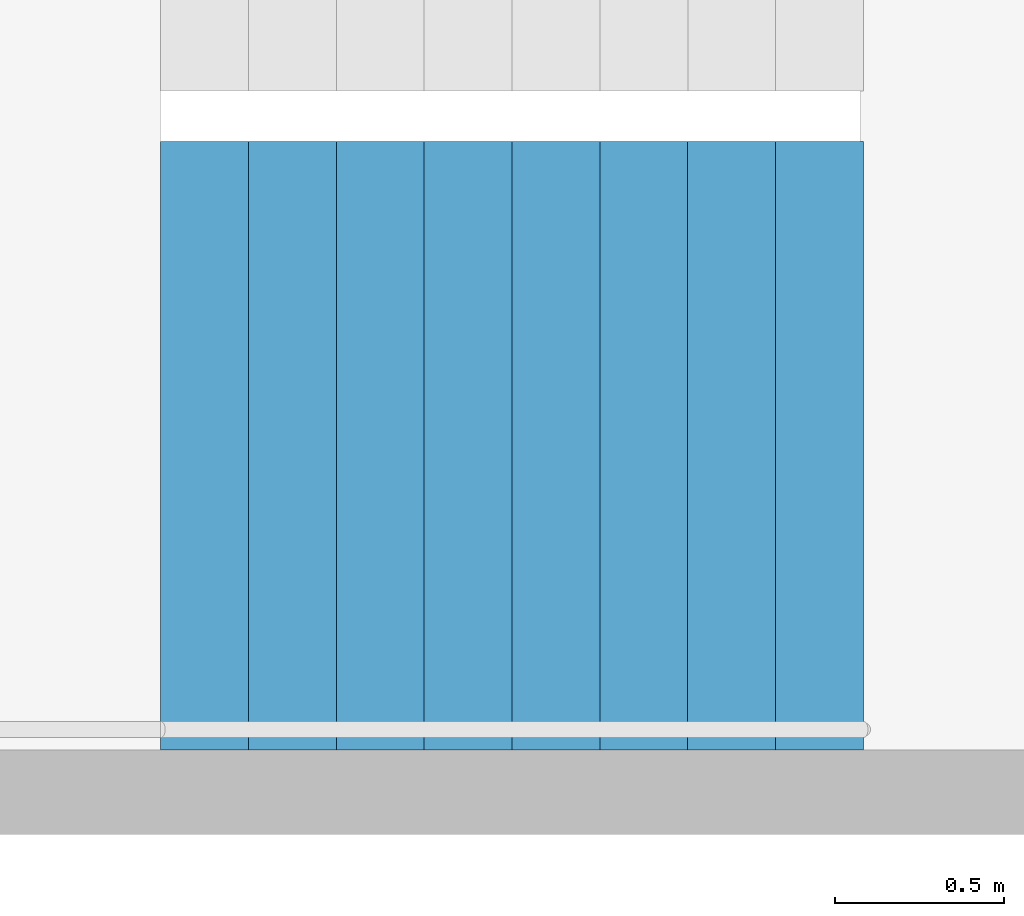
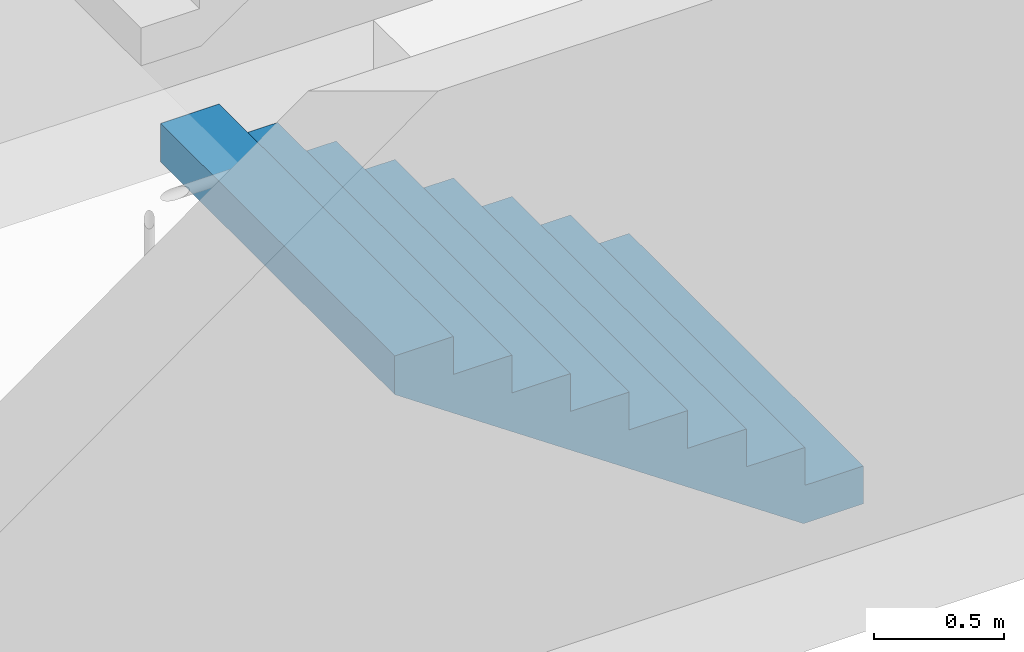
# One storey, part 27 of 29: 1 stair flight, 1 element without a shape of its own.
"""IFC4 building model written with IfcOpenShell, lengths in metres."""

import ifcopenshell
import ifcopenshell.guid

model = None  # the IFC model being written
_history = None  # IfcOwnerHistory: only IFC2X3 demands one
_inside = {}  # id of a spatial element -> (the spatial element, [elements in it])
_under = {}  # id of a project, library or spatial element -> (it, [spatial elements below it])
_declared = {}  # id of a project -> (the project, [libraries it declares])
_typed = {}  # id of a type object -> (the type object, [elements of that type])
_made_of = {}  # id of a material, layer set ... -> (it, [elements and type objects made of it])


def new_model(schema):
    """Start an empty IFC model of exactly this schema.

    Asked for "IFC4X3", IfcOpenShell would pick the latest addendum, in which some entities
    have other attributes; the version numbers below select the first issue.
    IFC2X3 requires an IfcOwnerHistory on every rooted entity: one is made here for all.
    """
    global model, _history
    if schema == "IFC4X3":
        model = ifcopenshell.file(schema_version=(4, 3, 0, 0))
    else:
        model = ifcopenshell.file(schema=schema)
    _inside.clear()
    _under.clear()
    _declared.clear()
    _typed.clear()
    _made_of.clear()
    _history = None
    if model.schema == "IFC2X3":
        org = make("IfcOrganization", Name="unknown")
        user = make(
            "IfcPersonAndOrganization",
            ThePerson=make("IfcPerson", FamilyName="unknown"),
            TheOrganization=org,
        )
        app = make(
            "IfcApplication",
            ApplicationDeveloper=org,
            Version="unknown",
            ApplicationFullName="unknown",
            ApplicationIdentifier="unknown",
        )
        _history = make(
            "IfcOwnerHistory",
            OwningUser=user,
            OwningApplication=app,
            ChangeAction="ADDED",
            CreationDate=0,
        )
    return model


def make(cls, **values):
    """One entity of the class cls with the attributes given. An attribute that is None is left unset."""
    return model.create_entity(
        cls, **{name: value for name, value in values.items() if value is not None}
    )


def rooted(cls, **values):
    """An entity with a GlobalId (a new one), such as an element, a storey or a relation."""
    return make(cls, GlobalId=ifcopenshell.guid.new(), OwnerHistory=_history, **values)


def si_unit(unit_type, name, prefix=None):
    """IfcSIUnit, for example si_unit("LENGTHUNIT", "METRE", prefix="MILLI")."""
    return make("IfcSIUnit", UnitType=unit_type, Prefix=prefix, Name=name)


def assignment(units):
    """IfcUnitAssignment: the units of a project."""
    return None if units is None else make("IfcUnitAssignment", Units=units)


def point(xyz):
    """IfcCartesianPoint."""
    return None if xyz is None else make("IfcCartesianPoint", Coordinates=xyz)


def direction(xyz):
    """IfcDirection."""
    return None if xyz is None else make("IfcDirection", DirectionRatios=xyz)


def frame(location, z_axis=None, x_axis=None):
    """IfcAxis2Placement3D, a coordinate frame: its origin and axes. An axis left out is left unset."""
    return make(
        "IfcAxis2Placement3D",
        Location=point(location),
        Axis=direction(z_axis),
        RefDirection=direction(x_axis),
    )


def origin():
    """The frame at (0, 0, 0) with its axes left unset."""
    return frame((0.0, 0.0, 0.0))


def place(relative_to, where):
    """IfcLocalPlacement: puts the frame where relative to a parent placement (None: the world)."""
    return make(
        "IfcLocalPlacement", PlacementRelTo=relative_to, RelativePlacement=where
    )


def context(
    kind, dimensions, precision=None, world=None, true_north=None, identifier=None
):
    """IfcGeometricRepresentationContext, for example the 3D "Model" context."""
    return make(
        "IfcGeometricRepresentationContext",
        ContextIdentifier=identifier,
        ContextType=kind,
        CoordinateSpaceDimension=dimensions,
        Precision=precision,
        WorldCoordinateSystem=world,
        TrueNorth=true_north,
    )


def subcontext(parent, identifier, kind, view, scale=None):
    """IfcGeometricRepresentationSubContext, for example "Body" below "Model"."""
    return make(
        "IfcGeometricRepresentationSubContext",
        ContextIdentifier=identifier,
        ContextType=kind,
        ParentContext=parent,
        TargetScale=scale,
        TargetView=view,
    )


def project(units=None, contexts=None):
    """IfcProject with its units and contexts."""
    return rooted(
        "IfcProject",
        Name="project",
        RepresentationContexts=contexts,
        UnitsInContext=assignment(units),
    )


def spatial(cls, under=None, at=None, **own):
    """A site, building, storey or space (cls), placed at a placement, below another one or the project."""
    s = rooted(cls, ObjectPlacement=at, **own)
    if under is not None:
        _under.setdefault(under.id(), (under, []))[1].append(s)
    return s


def point_list(points):
    """IfcCartesianPointList2D or 3D."""
    cls = (
        "IfcCartesianPointList2D" if len(points[0]) == 2 else "IfcCartesianPointList3D"
    )
    return make(cls, CoordList=points)


def triangles(points, corners, closed=None, point_numbers=None):
    """IfcTriangulatedFaceSet: each triangle names its three corners, points numbered from 1."""
    return make(
        "IfcTriangulatedFaceSet",
        Coordinates=point_list(points),
        Closed=closed,
        CoordIndex=corners,
        PnIndex=point_numbers,
    )


def shape(context_of_items, identifier, shape_type, items):
    """IfcShapeRepresentation: the items that make up one representation, for example the "Body"."""
    return make(
        "IfcShapeRepresentation",
        ContextOfItems=context_of_items,
        RepresentationIdentifier=identifier,
        RepresentationType=shape_type,
        Items=items,
    )


def material(Name=None, Category=None):
    """IfcMaterial."""
    return make("IfcMaterial", Name=Name, Category=Category)


def made_of(thing, what):
    """Note that an element or type object is made of a material, layer set ...; save() writes the relation."""
    if what is not None:
        _made_of.setdefault(what.id(), (what, []))[1].append(thing)
    return thing


def type_object(cls, material=None, **own):
    """A type object (cls), such as IfcWallType, which elements share."""
    return made_of(rooted(cls, **own), material)


def element(
    cls,
    number,
    at=None,
    inside=None,
    cuts=None,
    type_object=None,
    material=None,
    context=None,
    identifier="Body",
    shape_type=None,
    held_by="IfcProductDefinitionShape",
    body=None,
    shapes=None,
    **own,
):
    """One element of the class cls, such as IfcWall. Its Tag is "e" and its number.

    at: its placement. inside: the storey or other place that contains it. cuts: it is an
    opening in that element (IfcRelVoidsElement). A single representation is given by context,
    identifier, shape_type and body (its items); several are given by shapes. held_by: the class
    of the entity that holds the representations. save() writes the other relations.
    """
    e = rooted(cls, Tag="e%d" % number, ObjectPlacement=at, **own)
    if body is not None:
        shapes = [shape(context, identifier, shape_type, body)]
    if shapes is not None:
        e.Representation = make(held_by, Representations=shapes)
    if inside is not None:
        _inside.setdefault(inside.id(), (inside, []))[1].append(e)
    if cuts is not None:
        rooted(
            "IfcRelVoidsElement", RelatingBuildingElement=cuts, RelatedOpeningElement=e
        )
    if type_object is not None:
        _typed.setdefault(type_object.id(), (type_object, []))[1].append(e)
    return made_of(e, material)


def aggregate(whole, parts):
    """IfcRelAggregates: a whole, such as a stair, and the parts it consists of."""
    return rooted("IfcRelAggregates", RelatingObject=whole, RelatedObjects=parts)


def save(model, path):
    """Write the relations noted so far, then the file.

    IfcRelAggregates (storeys below a building ...), IfcRelContainedInSpatialStructure (elements
    in a storey), IfcRelDefinesByType, IfcRelAssociatesMaterial and IfcRelDeclares: one each for
    every whole, place, type object, material and project.
    """
    for whole, parts in _under.values():
        aggregate(whole, parts)
    for where, things in _inside.values():
        rooted(
            "IfcRelContainedInSpatialStructure",
            RelatedElements=things,
            RelatingStructure=where,
        )
    for kind, things in _typed.values():
        rooted("IfcRelDefinesByType", RelatedObjects=things, RelatingType=kind)
    for what, things in _made_of.values():
        rooted("IfcRelAssociatesMaterial", RelatedObjects=things, RelatingMaterial=what)
    for by, libraries in _declared.values():
        rooted("IfcRelDeclares", RelatingContext=by, RelatedDefinitions=libraries)
    model.write(path)


model = new_model("IFC4")

# Units and contexts
model_context = context("Model", 3, precision=1e-05, world=origin(), true_north=direction((0.0, 1.0)))
body_context = subcontext(model_context, "Body", "Model", "MODEL_VIEW")
ifc_project = project(units=[si_unit("LENGTHUNIT", "METRE"), si_unit("AREAUNIT", "SQUARE_METRE"), si_unit("VOLUMEUNIT", "CUBIC_METRE"), si_unit("PLANEANGLEUNIT", "RADIAN"), si_unit("MASSUNIT", "GRAM", prefix="KILO")], contexts=[model_context])

# Site, building, storey
site_placement = place(None, origin())
site = spatial("IfcSite", under=ifc_project, at=site_placement, CompositionType="ELEMENT")
building_placement = place(site_placement, origin())
building = spatial("IfcBuilding", under=site, at=building_placement, Name="Hakoniwa Tower and Hamabe Station Hall", CompositionType="ELEMENT")
storey_placement = place(building_placement, frame((0.0, 0.0, 55.0)))
storey = spatial("IfcBuildingStorey", under=building, at=storey_placement, Name="L15", CompositionType="ELEMENT", Elevation=55.0)

# Stair, stair flight
ifc_material_1 = material(Name="Concrete C40", Category="concrete")
stair_type = type_object("IfcStairType", Name="ESCAPE STAIR 1800", PredefinedType="HALF_TURN_STAIR", material=ifc_material_1)
stair_placement = place(storey_placement, origin())
stair = element("IfcStair", 1, at=stair_placement, inside=storey, type_object=stair_type, Name="Escape stair ST-3 L15", PredefinedType="HALF_TURN_STAIR")
ifc_material_2 = material(Name="Concrete C40", Category="concrete")
stair_flight_type = type_object("IfcStairFlightType", Name="STAIR FLIGHT 1800", PredefinedType="STRAIGHT", material=ifc_material_2)
stair_flight_placement = place(storey_placement, frame((24.39990234375, 4.64990234375, 0.0), z_axis=(0.0, 0.0, 1.0), x_axis=(-1.0, 0.0, 0.0)))
stair_flight = element("IfcStairFlight", 2, at=stair_flight_placement, type_object=stair_flight_type, Name="ST-3 flight 1", NumberOfRisers=9, NumberOfTreads=8, PredefinedType="STRAIGHT", RiserHeight=0.177777778, TreadLength=0.26, context=body_context, shape_type="Tessellation", body=[
    triangles([(0.0, 0.89990234375, 0.0), (0.260009765625, 0.89990234375, 0.0), (0.265625, 0.89990234375, 0.0), (0.52001953125, 0.89990234375, 0.174072265625), (0.780029296875, 0.89990234375, 0.351806640625), (1.0400390625, 0.89990234375, 0.529541015625), (1.300048828125, 0.89990234375, 0.707275390625), (1.56005859375, 0.89990234375, 0.885009765625), (1.820068359375, 0.89990234375, 1.062744140625), (2.080078125, 0.89990234375, 1.24072265625), (2.080078125, 0.89990234375, 1.422119140625), (1.820068359375, 0.89990234375, 1.422119140625), (1.820068359375, 0.89990234375, 1.244384765625), (1.56005859375, 0.89990234375, 1.244384765625), (1.56005859375, 0.89990234375, 1.066650390625), (1.300048828125, 0.89990234375, 1.066650390625), (1.300048828125, 0.89990234375, 0.888916015625), (1.0400390625, 0.89990234375, 0.888916015625), (1.0400390625, 0.89990234375, 0.711181640625), (0.780029296875, 0.89990234375, 0.711181640625), (0.780029296875, 0.89990234375, 0.533447265625), (0.52001953125, 0.89990234375, 0.533447265625), (0.52001953125, 0.89990234375, 0.35546875), (0.265625, 0.89990234375, 0.35546875), (0.260009765625, 0.89990234375, 0.35546875), (0.260009765625, 0.89990234375, 0.177734375), (0.0, 0.89990234375, 0.177734375), (0.0, 0.06005859375, 0.0), (0.260009765625, 0.06005859375, 0.0), (0.265625, 0.06005859375, 0.0), (0.52001953125, 0.06005859375, 0.174072265625), (0.780029296875, 0.06005859375, 0.351806640625), (1.0400390625, 0.06005859375, 0.529541015625), (1.300048828125, 0.06005859375, 0.707275390625), (1.56005859375, 0.06005859375, 0.885009765625), (1.820068359375, 0.06005859375, 1.062744140625), (2.080078125, 0.06005859375, 1.24072265625), (2.080078125, 0.06005859375, 1.422119140625), (1.820068359375, 0.06005859375, 1.422119140625), (1.820068359375, 0.06005859375, 1.244384765625), (1.56005859375, 0.06005859375, 1.244384765625), (1.56005859375, 0.06005859375, 1.066650390625), (1.300048828125, 0.06005859375, 1.066650390625), (1.300048828125, 0.06005859375, 0.888916015625), (1.0400390625, 0.06005859375, 0.888916015625), (1.0400390625, 0.06005859375, 0.711181640625), (0.780029296875, 0.06005859375, 0.711181640625), (0.780029296875, 0.06005859375, 0.533447265625), (0.52001953125, 0.06005859375, 0.533447265625), (0.52001953125, 0.06005859375, 0.35546875), (0.265625, 0.06005859375, 0.35546875), (0.260009765625, 0.06005859375, 0.35546875), (0.260009765625, 0.06005859375, 0.177734375), (0.0, 0.06005859375, 0.177734375), (0.0, 0.04296875, 0.0), (0.260009765625, 0.04296875, 0.0), (0.265625, 0.04296875, 0.0), (0.52001953125, 0.04296875, 0.174072265625), (0.780029296875, 0.04296875, 0.351806640625), (1.0400390625, 0.04296875, 0.529541015625), (1.300048828125, 0.04296875, 0.707275390625), (1.56005859375, 0.04296875, 0.885009765625), (1.820068359375, 0.04296875, 1.062744140625), (2.080078125, 0.04296875, 1.24072265625), (2.080078125, 0.04296875, 1.422119140625), (1.820068359375, 0.04296875, 1.422119140625), (1.820068359375, 0.04296875, 1.244384765625), (1.56005859375, 0.04296875, 1.244384765625), (1.56005859375, 0.04296875, 1.066650390625), (1.300048828125, 0.04296875, 1.066650390625), (1.300048828125, 0.04296875, 0.888916015625), (1.0400390625, 0.04296875, 0.888916015625), (1.0400390625, 0.04296875, 0.711181640625), (0.780029296875, 0.04296875, 0.711181640625), (0.780029296875, 0.04296875, 0.533447265625), (0.52001953125, 0.04296875, 0.533447265625), (0.52001953125, 0.04296875, 0.35546875), (0.265625, 0.04296875, 0.35546875), (0.260009765625, 0.04296875, 0.35546875), (0.260009765625, 0.04296875, 0.177734375), (0.0, 0.04296875, 0.177734375), (0.0, 0.025634765625, 0.0), (0.260009765625, 0.025634765625, 0.0), (0.265625, 0.025634765625, 0.0), (0.52001953125, 0.025634765625, 0.174072265625), (0.780029296875, 0.025634765625, 0.351806640625), (1.0400390625, 0.025634765625, 0.529541015625), (1.300048828125, 0.025634765625, 0.707275390625), (1.56005859375, 0.025634765625, 0.885009765625), (1.820068359375, 0.025634765625, 1.062744140625), (2.080078125, 0.025634765625, 1.24072265625), (2.080078125, 0.025634765625, 1.422119140625), (1.820068359375, 0.025634765625, 1.422119140625), (1.820068359375, 0.025634765625, 1.244384765625), (1.56005859375, 0.025634765625, 1.244384765625), (1.56005859375, 0.025634765625, 1.066650390625), (1.300048828125, 0.025634765625, 1.066650390625), (1.300048828125, 0.025634765625, 0.888916015625), (1.0400390625, 0.025634765625, 0.888916015625), (1.0400390625, 0.025634765625, 0.711181640625), (0.780029296875, 0.025634765625, 0.711181640625), (0.780029296875, 0.025634765625, 0.533447265625), (0.52001953125, 0.025634765625, 0.533447265625), (0.52001953125, 0.025634765625, 0.35546875), (0.265625, 0.025634765625, 0.35546875), (0.260009765625, 0.025634765625, 0.35546875), (0.260009765625, 0.025634765625, 0.177734375), (0.0, 0.025634765625, 0.177734375), (0.0, 0.008544921875, 0.0), (0.260009765625, 0.008544921875, 0.0), (0.265625, 0.008544921875, 0.0), (0.52001953125, 0.008544921875, 0.174072265625), (0.780029296875, 0.008544921875, 0.351806640625), (1.0400390625, 0.008544921875, 0.529541015625), (1.300048828125, 0.008544921875, 0.707275390625), (1.56005859375, 0.008544921875, 0.885009765625), (1.820068359375, 0.008544921875, 1.062744140625), (2.080078125, 0.008544921875, 1.24072265625), (2.080078125, 0.008544921875, 1.422119140625), (1.820068359375, 0.008544921875, 1.422119140625), (1.820068359375, 0.008544921875, 1.244384765625), (1.56005859375, 0.008544921875, 1.244384765625), (1.56005859375, 0.008544921875, 1.066650390625), (1.300048828125, 0.008544921875, 1.066650390625), (1.300048828125, 0.008544921875, 0.888916015625), (1.0400390625, 0.008544921875, 0.888916015625), (1.0400390625, 0.008544921875, 0.711181640625), (0.780029296875, 0.008544921875, 0.711181640625), (0.780029296875, 0.008544921875, 0.533447265625), (0.52001953125, 0.008544921875, 0.533447265625), (0.52001953125, 0.008544921875, 0.35546875), (0.265625, 0.008544921875, 0.35546875), (0.260009765625, 0.008544921875, 0.35546875), (0.260009765625, 0.008544921875, 0.177734375), (0.0, 0.008544921875, 0.177734375), (0.0, -0.008544921875, 0.0), (0.260009765625, -0.008544921875, 0.0), (0.265625, -0.008544921875, 0.0), (0.52001953125, -0.008544921875, 0.174072265625), (0.780029296875, -0.008544921875, 0.351806640625), (1.0400390625, -0.008544921875, 0.529541015625), (1.300048828125, -0.008544921875, 0.707275390625), (1.56005859375, -0.008544921875, 0.885009765625), (1.820068359375, -0.008544921875, 1.062744140625), (2.080078125, -0.008544921875, 1.24072265625), (2.080078125, -0.008544921875, 1.422119140625), (1.820068359375, -0.008544921875, 1.422119140625), (1.820068359375, -0.008544921875, 1.244384765625), (1.56005859375, -0.008544921875, 1.244384765625), (1.56005859375, -0.008544921875, 1.066650390625), (1.300048828125, -0.008544921875, 1.066650390625), (1.300048828125, -0.008544921875, 0.888916015625), (1.0400390625, -0.008544921875, 0.888916015625), (1.0400390625, -0.008544921875, 0.711181640625), (0.780029296875, -0.008544921875, 0.711181640625), (0.780029296875, -0.008544921875, 0.533447265625), (0.52001953125, -0.008544921875, 0.533447265625), (0.52001953125, -0.008544921875, 0.35546875), (0.265625, -0.008544921875, 0.35546875), (0.260009765625, -0.008544921875, 0.35546875), (0.260009765625, -0.008544921875, 0.177734375), (0.0, -0.008544921875, 0.177734375), (0.0, -0.025634765625, 0.0), (0.260009765625, -0.025634765625, 0.0), (0.265625, -0.025634765625, 0.0), (0.52001953125, -0.025634765625, 0.174072265625), (0.780029296875, -0.025634765625, 0.351806640625), (1.0400390625, -0.025634765625, 0.529541015625), (1.300048828125, -0.025634765625, 0.707275390625), (1.56005859375, -0.025634765625, 0.885009765625), (1.820068359375, -0.025634765625, 1.062744140625), (2.080078125, -0.025634765625, 1.24072265625), (2.080078125, -0.025634765625, 1.422119140625), (1.820068359375, -0.025634765625, 1.422119140625), (1.820068359375, -0.025634765625, 1.244384765625), (1.56005859375, -0.025634765625, 1.244384765625), (1.56005859375, -0.025634765625, 1.066650390625), (1.300048828125, -0.025634765625, 1.066650390625), (1.300048828125, -0.025634765625, 0.888916015625), (1.0400390625, -0.025634765625, 0.888916015625), (1.0400390625, -0.025634765625, 0.711181640625), (0.780029296875, -0.025634765625, 0.711181640625), (0.780029296875, -0.025634765625, 0.533447265625), (0.52001953125, -0.025634765625, 0.533447265625), (0.52001953125, -0.025634765625, 0.35546875), (0.265625, -0.025634765625, 0.35546875), (0.260009765625, -0.025634765625, 0.35546875), (0.260009765625, -0.025634765625, 0.177734375), (0.0, -0.025634765625, 0.177734375), (0.0, -0.04296875, 0.0), (0.260009765625, -0.04296875, 0.0), (0.265625, -0.04296875, 0.0), (0.52001953125, -0.04296875, 0.174072265625), (0.780029296875, -0.04296875, 0.351806640625), (1.0400390625, -0.04296875, 0.529541015625), (1.300048828125, -0.04296875, 0.707275390625), (1.56005859375, -0.04296875, 0.885009765625), (1.820068359375, -0.04296875, 1.062744140625), (2.080078125, -0.04296875, 1.24072265625), (2.080078125, -0.04296875, 1.422119140625), (1.820068359375, -0.04296875, 1.422119140625), (1.820068359375, -0.04296875, 1.244384765625), (1.56005859375, -0.04296875, 1.244384765625), (1.56005859375, -0.04296875, 1.066650390625), (1.300048828125, -0.04296875, 1.066650390625), (1.300048828125, -0.04296875, 0.888916015625), (1.0400390625, -0.04296875, 0.888916015625), (1.0400390625, -0.04296875, 0.711181640625), (0.780029296875, -0.04296875, 0.711181640625), (0.780029296875, -0.04296875, 0.533447265625), (0.52001953125, -0.04296875, 0.533447265625), (0.52001953125, -0.04296875, 0.35546875), (0.265625, -0.04296875, 0.35546875), (0.260009765625, -0.04296875, 0.35546875), (0.260009765625, -0.04296875, 0.177734375), (0.0, -0.04296875, 0.177734375), (0.0, -0.06005859375, 0.0), (0.260009765625, -0.06005859375, 0.0), (0.265625, -0.06005859375, 0.0), (0.52001953125, -0.06005859375, 0.174072265625), (0.780029296875, -0.06005859375, 0.351806640625), (1.0400390625, -0.06005859375, 0.529541015625), (1.300048828125, -0.06005859375, 0.707275390625), (1.56005859375, -0.06005859375, 0.885009765625), (1.820068359375, -0.06005859375, 1.062744140625), (2.080078125, -0.06005859375, 1.24072265625), (2.080078125, -0.06005859375, 1.422119140625), (1.820068359375, -0.06005859375, 1.422119140625), (1.820068359375, -0.06005859375, 1.244384765625), (1.56005859375, -0.06005859375, 1.244384765625), (1.56005859375, -0.06005859375, 1.066650390625), (1.300048828125, -0.06005859375, 1.066650390625), (1.300048828125, -0.06005859375, 0.888916015625), (1.0400390625, -0.06005859375, 0.888916015625), (1.0400390625, -0.06005859375, 0.711181640625), (0.780029296875, -0.06005859375, 0.711181640625), (0.780029296875, -0.06005859375, 0.533447265625), (0.52001953125, -0.06005859375, 0.533447265625), (0.52001953125, -0.06005859375, 0.35546875), (0.265625, -0.06005859375, 0.35546875), (0.260009765625, -0.06005859375, 0.35546875), (0.260009765625, -0.06005859375, 0.177734375), (0.0, -0.06005859375, 0.177734375), (0.0, -0.89990234375, 0.0), (0.260009765625, -0.89990234375, 0.0), (0.265625, -0.89990234375, 0.0), (0.52001953125, -0.89990234375, 0.174072265625), (0.780029296875, -0.89990234375, 0.351806640625), (1.0400390625, -0.89990234375, 0.529541015625), (1.300048828125, -0.89990234375, 0.707275390625), (1.56005859375, -0.89990234375, 0.885009765625), (1.820068359375, -0.89990234375, 1.062744140625), (2.080078125, -0.89990234375, 1.24072265625), (2.080078125, -0.89990234375, 1.422119140625), (1.820068359375, -0.89990234375, 1.422119140625), (1.820068359375, -0.89990234375, 1.244384765625), (1.56005859375, -0.89990234375, 1.244384765625), (1.56005859375, -0.89990234375, 1.066650390625), (1.300048828125, -0.89990234375, 1.066650390625), (1.300048828125, -0.89990234375, 0.888916015625), (1.0400390625, -0.89990234375, 0.888916015625), (1.0400390625, -0.89990234375, 0.711181640625), (0.780029296875, -0.89990234375, 0.711181640625), (0.780029296875, -0.89990234375, 0.533447265625), (0.52001953125, -0.89990234375, 0.533447265625), (0.52001953125, -0.89990234375, 0.35546875), (0.265625, -0.89990234375, 0.35546875), (0.260009765625, -0.89990234375, 0.35546875), (0.260009765625, -0.89990234375, 0.177734375), (0.0, -0.89990234375, 0.177734375)], [[2, 27, 26], [245, 269, 270], [2, 1, 27], [245, 270, 244], [3, 25, 24], [246, 267, 268], [3, 26, 25], [246, 268, 269], [3, 2, 26], [246, 269, 245], [4, 24, 23], [247, 266, 267], [4, 3, 24], [247, 267, 246], [5, 22, 21], [248, 264, 265], [5, 23, 22], [248, 265, 266], [5, 4, 23], [248, 266, 247], [6, 20, 19], [249, 262, 263], [6, 21, 20], [249, 263, 264], [6, 5, 21], [249, 264, 248], [7, 18, 17], [250, 260, 261], [7, 19, 18], [250, 261, 262], [7, 6, 19], [250, 262, 249], [8, 16, 15], [251, 258, 259], [8, 17, 16], [251, 259, 260], [8, 7, 17], [251, 260, 250], [9, 14, 13], [252, 256, 257], [9, 15, 14], [252, 257, 258], [9, 8, 15], [252, 258, 251], [10, 12, 11], [253, 254, 255], [10, 13, 12], [253, 255, 256], [10, 9, 13], [253, 256, 252], [1, 2, 29], [1, 29, 28], [28, 29, 56], [28, 56, 55], [55, 56, 83], [55, 83, 82], [82, 83, 110], [82, 110, 109], [109, 110, 137], [109, 137, 136], [136, 137, 164], [136, 164, 163], [163, 164, 191], [163, 191, 190], [190, 191, 218], [190, 218, 217], [217, 218, 245], [217, 245, 244], [2, 3, 30], [2, 30, 29], [29, 30, 57], [29, 57, 56], [56, 57, 84], [56, 84, 83], [83, 84, 111], [83, 111, 110], [110, 111, 138], [110, 138, 137], [137, 138, 165], [137, 165, 164], [164, 165, 192], [164, 192, 191], [191, 192, 219], [191, 219, 218], [218, 219, 246], [218, 246, 245], [3, 4, 31], [3, 31, 30], [30, 31, 58], [30, 58, 57], [57, 58, 85], [57, 85, 84], [84, 85, 112], [84, 112, 111], [111, 112, 139], [111, 139, 138], [138, 139, 166], [138, 166, 165], [165, 166, 193], [165, 193, 192], [192, 193, 220], [192, 220, 219], [219, 220, 247], [219, 247, 246], [4, 5, 32], [4, 32, 31], [31, 32, 59], [31, 59, 58], [58, 59, 86], [58, 86, 85], [85, 86, 113], [85, 113, 112], [112, 113, 140], [112, 140, 139], [139, 140, 167], [139, 167, 166], [166, 167, 194], [166, 194, 193], [193, 194, 221], [193, 221, 220], [220, 221, 248], [220, 248, 247], [5, 6, 33], [5, 33, 32], [32, 33, 60], [32, 60, 59], [59, 60, 87], [59, 87, 86], [86, 87, 114], [86, 114, 113], [113, 114, 141], [113, 141, 140], [140, 141, 168], [140, 168, 167], [167, 168, 195], [167, 195, 194], [194, 195, 222], [194, 222, 221], [221, 222, 249], [221, 249, 248], [6, 7, 34], [6, 34, 33], [33, 34, 61], [33, 61, 60], [60, 61, 88], [60, 88, 87], [87, 88, 115], [87, 115, 114], [114, 115, 142], [114, 142, 141], [141, 142, 169], [141, 169, 168], [168, 169, 196], [168, 196, 195], [195, 196, 223], [195, 223, 222], [222, 223, 250], [222, 250, 249], [7, 8, 35], [7, 35, 34], [34, 35, 62], [34, 62, 61], [61, 62, 89], [61, 89, 88], [88, 89, 116], [88, 116, 115], [115, 116, 143], [115, 143, 142], [142, 143, 170], [142, 170, 169], [169, 170, 197], [169, 197, 196], [196, 197, 224], [196, 224, 223], [223, 224, 251], [223, 251, 250], [8, 9, 36], [8, 36, 35], [35, 36, 63], [35, 63, 62], [62, 63, 90], [62, 90, 89], [89, 90, 117], [89, 117, 116], [116, 117, 144], [116, 144, 143], [143, 144, 171], [143, 171, 170], [170, 171, 198], [170, 198, 197], [197, 198, 225], [197, 225, 224], [224, 225, 252], [224, 252, 251], [9, 10, 37], [9, 37, 36], [36, 37, 64], [36, 64, 63], [63, 64, 91], [63, 91, 90], [90, 91, 118], [90, 118, 117], [117, 118, 145], [117, 145, 144], [144, 145, 172], [144, 172, 171], [171, 172, 199], [171, 199, 198], [198, 199, 226], [198, 226, 225], [225, 226, 253], [225, 253, 252], [10, 11, 38], [10, 38, 37], [37, 38, 65], [37, 65, 64], [64, 65, 92], [64, 92, 91], [91, 92, 119], [91, 119, 118], [118, 119, 146], [118, 146, 145], [145, 146, 173], [145, 173, 172], [172, 173, 200], [172, 200, 199], [199, 200, 227], [199, 227, 226], [226, 227, 254], [226, 254, 253], [11, 12, 39], [11, 39, 38], [38, 39, 66], [38, 66, 65], [65, 66, 93], [65, 93, 92], [92, 93, 120], [92, 120, 119], [119, 120, 147], [119, 147, 146], [146, 147, 174], [146, 174, 173], [173, 174, 201], [173, 201, 200], [200, 201, 228], [200, 228, 227], [227, 228, 255], [227, 255, 254], [12, 13, 40], [12, 40, 39], [39, 40, 67], [39, 67, 66], [66, 67, 94], [66, 94, 93], [93, 94, 121], [93, 121, 120], [120, 121, 148], [120, 148, 147], [147, 148, 175], [147, 175, 174], [174, 175, 202], [174, 202, 201], [201, 202, 229], [201, 229, 228], [228, 229, 256], [228, 256, 255], [13, 14, 41], [13, 41, 40], [40, 41, 68], [40, 68, 67], [67, 68, 95], [67, 95, 94], [94, 95, 122], [94, 122, 121], [121, 122, 149], [121, 149, 148], [148, 149, 176], [148, 176, 175], [175, 176, 203], [175, 203, 202], [202, 203, 230], [202, 230, 229], [229, 230, 257], [229, 257, 256], [14, 15, 42], [14, 42, 41], [41, 42, 69], [41, 69, 68], [68, 69, 96], [68, 96, 95], [95, 96, 123], [95, 123, 122], [122, 123, 150], [122, 150, 149], [149, 150, 177], [149, 177, 176], [176, 177, 204], [176, 204, 203], [203, 204, 231], [203, 231, 230], [230, 231, 258], [230, 258, 257], [15, 16, 43], [15, 43, 42], [42, 43, 70], [42, 70, 69], [69, 70, 97], [69, 97, 96], [96, 97, 124], [96, 124, 123], [123, 124, 151], [123, 151, 150], [150, 151, 178], [150, 178, 177], [177, 178, 205], [177, 205, 204], [204, 205, 232], [204, 232, 231], [231, 232, 259], [231, 259, 258], [16, 17, 44], [16, 44, 43], [43, 44, 71], [43, 71, 70], [70, 71, 98], [70, 98, 97], [97, 98, 125], [97, 125, 124], [124, 125, 152], [124, 152, 151], [151, 152, 179], [151, 179, 178], [178, 179, 206], [178, 206, 205], [205, 206, 233], [205, 233, 232], [232, 233, 260], [232, 260, 259], [17, 18, 45], [17, 45, 44], [44, 45, 72], [44, 72, 71], [71, 72, 99], [71, 99, 98], [98, 99, 126], [98, 126, 125], [125, 126, 153], [125, 153, 152], [152, 153, 180], [152, 180, 179], [179, 180, 207], [179, 207, 206], [206, 207, 234], [206, 234, 233], [233, 234, 261], [233, 261, 260], [18, 19, 46], [18, 46, 45], [45, 46, 73], [45, 73, 72], [72, 73, 100], [72, 100, 99], [99, 100, 127], [99, 127, 126], [126, 127, 154], [126, 154, 153], [153, 154, 181], [153, 181, 180], [180, 181, 208], [180, 208, 207], [207, 208, 235], [207, 235, 234], [234, 235, 262], [234, 262, 261], [19, 20, 47], [19, 47, 46], [46, 47, 74], [46, 74, 73], [73, 74, 101], [73, 101, 100], [100, 101, 128], [100, 128, 127], [127, 128, 155], [127, 155, 154], [154, 155, 182], [154, 182, 181], [181, 182, 209], [181, 209, 208], [208, 209, 236], [208, 236, 235], [235, 236, 263], [235, 263, 262], [20, 21, 48], [20, 48, 47], [47, 48, 75], [47, 75, 74], [74, 75, 102], [74, 102, 101], [101, 102, 129], [101, 129, 128], [128, 129, 156], [128, 156, 155], [155, 156, 183], [155, 183, 182], [182, 183, 210], [182, 210, 209], [209, 210, 237], [209, 237, 236], [236, 237, 264], [236, 264, 263], [21, 22, 49], [21, 49, 48], [48, 49, 76], [48, 76, 75], [75, 76, 103], [75, 103, 102], [102, 103, 130], [102, 130, 129], [129, 130, 157], [129, 157, 156], [156, 157, 184], [156, 184, 183], [183, 184, 211], [183, 211, 210], [210, 211, 238], [210, 238, 237], [237, 238, 265], [237, 265, 264], [22, 23, 50], [22, 50, 49], [49, 50, 77], [49, 77, 76], [76, 77, 104], [76, 104, 103], [103, 104, 131], [103, 131, 130], [130, 131, 158], [130, 158, 157], [157, 158, 185], [157, 185, 184], [184, 185, 212], [184, 212, 211], [211, 212, 239], [211, 239, 238], [238, 239, 266], [238, 266, 265], [23, 24, 51], [23, 51, 50], [50, 51, 78], [50, 78, 77], [77, 78, 105], [77, 105, 104], [104, 105, 132], [104, 132, 131], [131, 132, 159], [131, 159, 158], [158, 159, 186], [158, 186, 185], [185, 186, 213], [185, 213, 212], [212, 213, 240], [212, 240, 239], [239, 240, 267], [239, 267, 266], [24, 25, 52], [24, 52, 51], [51, 52, 79], [51, 79, 78], [78, 79, 106], [78, 106, 105], [105, 106, 133], [105, 133, 132], [132, 133, 160], [132, 160, 159], [159, 160, 187], [159, 187, 186], [186, 187, 214], [186, 214, 213], [213, 214, 241], [213, 241, 240], [240, 241, 268], [240, 268, 267], [25, 26, 53], [25, 53, 52], [52, 53, 80], [52, 80, 79], [79, 80, 107], [79, 107, 106], [106, 107, 134], [106, 134, 133], [133, 134, 161], [133, 161, 160], [160, 161, 188], [160, 188, 187], [187, 188, 215], [187, 215, 214], [214, 215, 242], [214, 242, 241], [241, 242, 269], [241, 269, 268], [26, 27, 54], [26, 54, 53], [53, 54, 81], [53, 81, 80], [80, 81, 108], [80, 108, 107], [107, 108, 135], [107, 135, 134], [134, 135, 162], [134, 162, 161], [161, 162, 189], [161, 189, 188], [188, 189, 216], [188, 216, 215], [215, 216, 243], [215, 243, 242], [242, 243, 270], [242, 270, 269], [27, 1, 28], [27, 28, 54], [54, 28, 55], [54, 55, 81], [81, 55, 82], [81, 82, 108], [108, 82, 109], [108, 109, 135], [135, 109, 136], [135, 136, 162], [162, 136, 163], [162, 163, 189], [189, 163, 190], [189, 190, 216], [216, 190, 217], [216, 217, 243], [243, 217, 244], [243, 244, 270]], closed=True),
])
aggregate(stair, [stair_flight])

save(model, "model.ifc")
